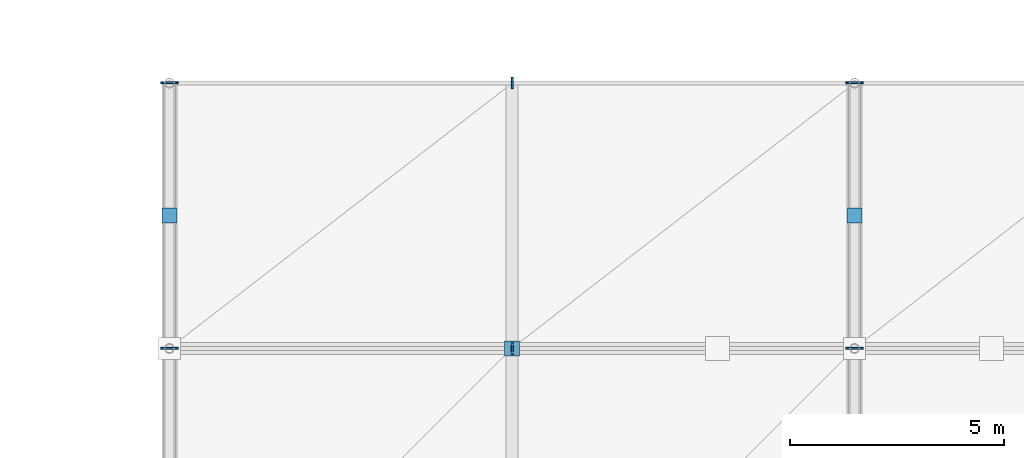
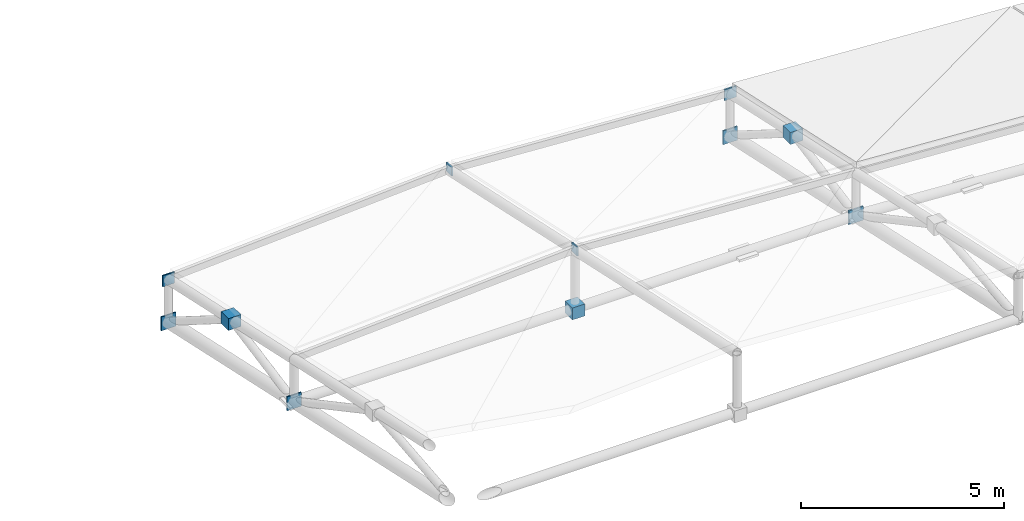
# One storey, part 58 of 67: 11 discrete accessories.
"""IFC4 building model written with IfcOpenShell, lengths in metres."""

from ifc_helpers import new_model, si_unit, direction, frame, origin, origin_2d, place, context, subcontext, project, spatial, rectangle, extrude, material, type_object, element, save


model = new_model("IFC4")

# Units and contexts
model_context = context("Model", 3, precision=1e-05, world=origin(), true_north=direction((0.0, 1.0)))
body_context = subcontext(model_context, "Body", "Model", "MODEL_VIEW")
ifc_project = project(units=[si_unit("LENGTHUNIT", "METRE"), si_unit("AREAUNIT", "SQUARE_METRE"), si_unit("VOLUMEUNIT", "CUBIC_METRE"), si_unit("PLANEANGLEUNIT", "RADIAN"), si_unit("MASSUNIT", "GRAM", prefix="KILO")], contexts=[model_context])

# Site, building, storey
site_placement = place(None, origin())
site = spatial("IfcSite", under=ifc_project, at=site_placement, CompositionType="ELEMENT")
building_placement = place(site_placement, origin())
building = spatial("IfcBuilding", under=site, at=building_placement, Name="Drelvath Fold Interchange", CompositionType="ELEMENT")
storey_placement = place(building_placement, frame((0.0, 0.0, 15.60009765625)))
storey = spatial("IfcBuildingStorey", under=building, at=storey_placement, Name="L03", CompositionType="ELEMENT", Elevation=15.60009765625)

# Discrete accessories
ifc_material = material(Name="Steel ASTM A572 Grade 50", Category="steel")
discrete_accessory_type = type_object("IfcDiscreteAccessoryType", Name="AC-CAP380", PredefinedType="BRACKET", material=ifc_material)
for number, where, z_axis, x_axis, name in (
    (1, (102.0, 67.0048828125, 0.927978515625), (0.0, 0.0, 1.0), (1.0, 0.0, 0.0), "Welded hollow member end cap 193"),
    (2, (102.0, 73.205078125, -0.424072265625), (0.0, 0.0, 1.0), (1.0, 0.0, 0.0), "Welded hollow member end cap 195"),
):
    element("IfcDiscreteAccessory", number, at=place(storey_placement, frame(where, z_axis=z_axis, x_axis=x_axis)), inside=storey, type_object=discrete_accessory_type, Name=name, PredefinedType="BRACKET", context=body_context, shape_type="SweptSolid", body=[
        extrude(rectangle(XDim=0.416015625, YDim=0.0400390625, at=origin_2d()), origin(), (0.0, 0.0, 1.0), 0.416015625),
    ])
discrete_accessory_1_placement = place(storey_placement, frame((102.0, 73.205078125, 0.887451171875), z_axis=(0.0, 0.0, 1.0), x_axis=(1.0, 0.0, 0.0)))
element("IfcDiscreteAccessory", 3, at=discrete_accessory_1_placement, inside=storey, type_object=discrete_accessory_type, Name="Welded hollow member end cap 196", PredefinedType="BRACKET", context=body_context, shape_type="SweptSolid", body=[
    extrude(rectangle(XDim=0.3330078125, YDim=0.0400390625, at=origin_2d()), origin(), (0.0, 0.0, 1.0), 0.3330078125),
])
discrete_accessory_2_placement = place(storey_placement, frame((102.0, 70.10498046875, 1.552490234375), z_axis=(0.0, 0.0, 1.0), x_axis=(1.0, 0.0, 0.0)))
element("IfcDiscreteAccessory", 4, at=discrete_accessory_2_placement, inside=storey, type_object=discrete_accessory_type, Name="Welded hollow member end cap 197", PredefinedType="BRACKET", context=body_context, shape_type="SweptSolid", body=[
    extrude(rectangle(XDim=0.35888671875, YDim=0.35888671875, at=origin_2d()), origin(), (0.0, 0.0, 1.0), 0.35888671875),
])
for number, where, z_axis, x_axis, name in (
    (5, (118.0, 67.0048828125, 0.927978515625), (0.0, 0.0, 1.0), (1.0, 0.0, 0.0), "Welded hollow member end cap 209"),
    (6, (118.0, 73.205078125, -0.424072265625), (0.0, 0.0, 1.0), (1.0, 0.0, 0.0), "Welded hollow member end cap 211"),
):
    element("IfcDiscreteAccessory", number, at=place(storey_placement, frame(where, z_axis=z_axis, x_axis=x_axis)), inside=storey, type_object=discrete_accessory_type, Name=name, PredefinedType="BRACKET", context=body_context, shape_type="SweptSolid", body=[
        extrude(rectangle(XDim=0.416015625, YDim=0.0400390625, at=origin_2d()), origin(), (0.0, 0.0, 1.0), 0.416015625),
    ])
discrete_accessory_3_placement = place(storey_placement, frame((118.0, 73.205078125, 0.887451171875), z_axis=(0.0, 0.0, 1.0), x_axis=(1.0, 0.0, 0.0)))
element("IfcDiscreteAccessory", 7, at=discrete_accessory_3_placement, inside=storey, type_object=discrete_accessory_type, Name="Welded hollow member end cap 212", PredefinedType="BRACKET", context=body_context, shape_type="SweptSolid", body=[
    extrude(rectangle(XDim=0.3330078125, YDim=0.0400390625, at=origin_2d()), origin(), (0.0, 0.0, 1.0), 0.3330078125),
])
discrete_accessory_4_placement = place(storey_placement, frame((118.0, 70.10498046875, 1.552490234375), z_axis=(0.0, 0.0, 1.0), x_axis=(1.0, 0.0, 0.0)))
element("IfcDiscreteAccessory", 8, at=discrete_accessory_4_placement, inside=storey, type_object=discrete_accessory_type, Name="Welded hollow member end cap 213", PredefinedType="BRACKET", context=body_context, shape_type="SweptSolid", body=[
    extrude(rectangle(XDim=0.35888671875, YDim=0.35888671875, at=origin_2d()), origin(), (0.0, 0.0, 1.0), 0.35888671875),
])
for number, where, z_axis, x_axis, name in (
    (9, (110.0048828125, 67.0, 2.78857421875), (0.0, 0.0, 1.0), (1.0, 0.0, 0.0), "Welded hollow member end cap 283"),
    (10, (110.0048828125, 73.199951171875, 1.4365234375), (0.0, 0.0, 1.0), (1.0, 0.0, 0.0), "Welded hollow member end cap 284"),
):
    element("IfcDiscreteAccessory", number, at=place(storey_placement, frame(where, z_axis=z_axis, x_axis=x_axis)), inside=storey, type_object=discrete_accessory_type, Name=name, PredefinedType="BRACKET", context=body_context, shape_type="SweptSolid", body=[
        extrude(rectangle(XDim=0.0400390625, YDim=0.262939453125, at=origin_2d()), origin(), (0.0, 0.0, 1.0), 0.262939453125),
    ])
discrete_accessory_5_placement = place(storey_placement, frame((110.0, 67.0, 0.952392578125), z_axis=(0.0, 0.0, 1.0), x_axis=(1.0, 0.0, 0.0)))
element("IfcDiscreteAccessory", 11, at=discrete_accessory_5_placement, inside=storey, type_object=discrete_accessory_type, Name="Welded hollow member end cap 288", PredefinedType="BRACKET", context=body_context, shape_type="SweptSolid", body=[
    extrude(rectangle(XDim=0.35888671875, YDim=0.35888671875, at=origin_2d()), origin(), (0.0, 0.0, 1.0), 0.35888671875),
])

save(model, "model.ifc")
